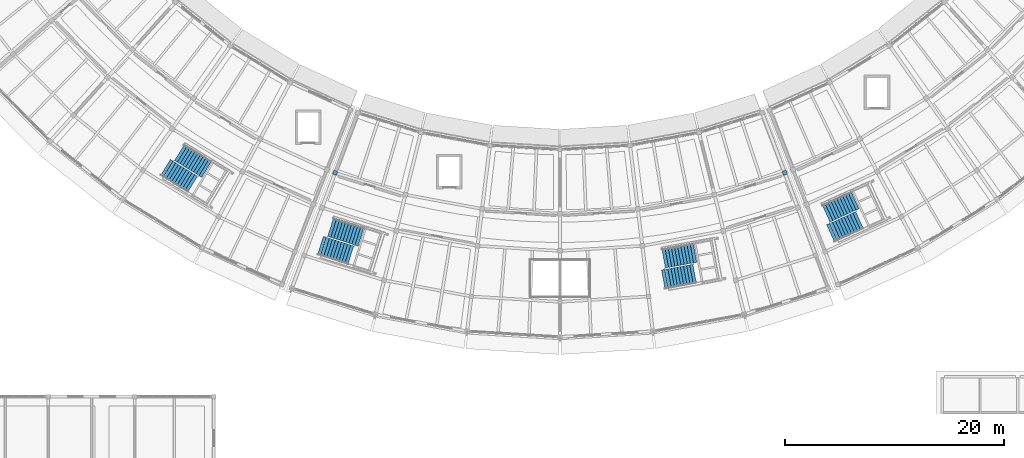
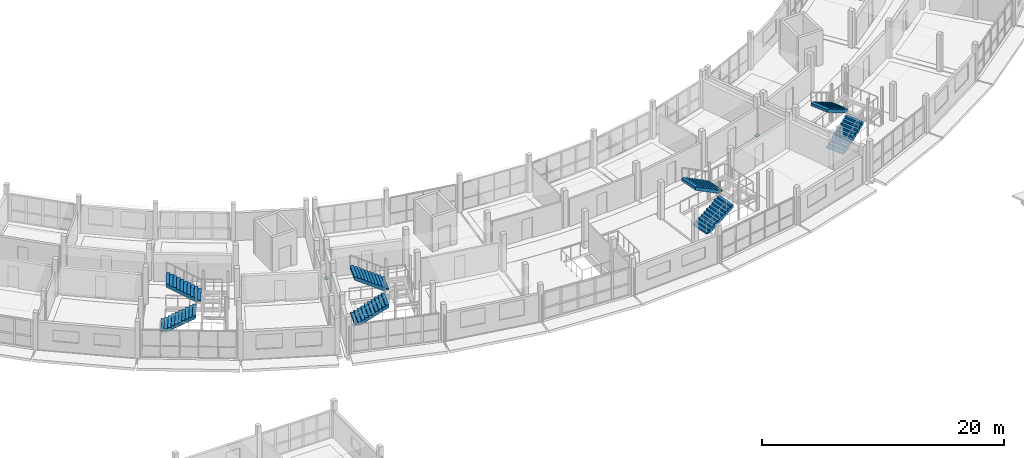
# One storey, part 57 of 66: 8 stair flights, 2 discrete accessories, 4 elements without a shape of their own.
"""IFC4 building model written with IfcOpenShell, lengths in metres."""

import ifcopenshell
import ifcopenshell.guid

model = None  # the IFC model being written
_history = None  # IfcOwnerHistory: only IFC2X3 demands one
_inside = {}  # id of a spatial element -> (the spatial element, [elements in it])
_under = {}  # id of a project, library or spatial element -> (it, [spatial elements below it])
_declared = {}  # id of a project -> (the project, [libraries it declares])
_typed = {}  # id of a type object -> (the type object, [elements of that type])
_made_of = {}  # id of a material, layer set ... -> (it, [elements and type objects made of it])


def new_model(schema):
    """Start an empty IFC model of exactly this schema.

    Asked for "IFC4X3", IfcOpenShell would pick the latest addendum, in which some entities
    have other attributes; the version numbers below select the first issue.
    IFC2X3 requires an IfcOwnerHistory on every rooted entity: one is made here for all.
    """
    global model, _history
    if schema == "IFC4X3":
        model = ifcopenshell.file(schema_version=(4, 3, 0, 0))
    else:
        model = ifcopenshell.file(schema=schema)
    _inside.clear()
    _under.clear()
    _declared.clear()
    _typed.clear()
    _made_of.clear()
    _history = None
    if model.schema == "IFC2X3":
        org = make("IfcOrganization", Name="unknown")
        user = make(
            "IfcPersonAndOrganization",
            ThePerson=make("IfcPerson", FamilyName="unknown"),
            TheOrganization=org,
        )
        app = make(
            "IfcApplication",
            ApplicationDeveloper=org,
            Version="unknown",
            ApplicationFullName="unknown",
            ApplicationIdentifier="unknown",
        )
        _history = make(
            "IfcOwnerHistory",
            OwningUser=user,
            OwningApplication=app,
            ChangeAction="ADDED",
            CreationDate=0,
        )
    return model


def make(cls, **values):
    """One entity of the class cls with the attributes given. An attribute that is None is left unset."""
    return model.create_entity(
        cls, **{name: value for name, value in values.items() if value is not None}
    )


def rooted(cls, **values):
    """An entity with a GlobalId (a new one), such as an element, a storey or a relation."""
    return make(cls, GlobalId=ifcopenshell.guid.new(), OwnerHistory=_history, **values)


def si_unit(unit_type, name, prefix=None):
    """IfcSIUnit, for example si_unit("LENGTHUNIT", "METRE", prefix="MILLI")."""
    return make("IfcSIUnit", UnitType=unit_type, Prefix=prefix, Name=name)


def assignment(units):
    """IfcUnitAssignment: the units of a project."""
    return None if units is None else make("IfcUnitAssignment", Units=units)


def point(xyz):
    """IfcCartesianPoint."""
    return None if xyz is None else make("IfcCartesianPoint", Coordinates=xyz)


def direction(xyz):
    """IfcDirection."""
    return None if xyz is None else make("IfcDirection", DirectionRatios=xyz)


def frame(location, z_axis=None, x_axis=None):
    """IfcAxis2Placement3D, a coordinate frame: its origin and axes. An axis left out is left unset."""
    return make(
        "IfcAxis2Placement3D",
        Location=point(location),
        Axis=direction(z_axis),
        RefDirection=direction(x_axis),
    )


def frame_2d(location, x_axis=None):
    """IfcAxis2Placement2D, a coordinate frame in the plane: its origin and x axis."""
    return make(
        "IfcAxis2Placement2D", Location=point(location), RefDirection=direction(x_axis)
    )


def origin():
    """The frame at (0, 0, 0) with its axes left unset."""
    return frame((0.0, 0.0, 0.0))


def origin_2d():
    """The frame at (0, 0) in the plane with its x axis left unset."""
    return frame_2d((0.0, 0.0))


def place(relative_to, where):
    """IfcLocalPlacement: puts the frame where relative to a parent placement (None: the world)."""
    return make(
        "IfcLocalPlacement", PlacementRelTo=relative_to, RelativePlacement=where
    )


def context(
    kind, dimensions, precision=None, world=None, true_north=None, identifier=None
):
    """IfcGeometricRepresentationContext, for example the 3D "Model" context."""
    return make(
        "IfcGeometricRepresentationContext",
        ContextIdentifier=identifier,
        ContextType=kind,
        CoordinateSpaceDimension=dimensions,
        Precision=precision,
        WorldCoordinateSystem=world,
        TrueNorth=true_north,
    )


def subcontext(parent, identifier, kind, view, scale=None):
    """IfcGeometricRepresentationSubContext, for example "Body" below "Model"."""
    return make(
        "IfcGeometricRepresentationSubContext",
        ContextIdentifier=identifier,
        ContextType=kind,
        ParentContext=parent,
        TargetScale=scale,
        TargetView=view,
    )


def project(units=None, contexts=None):
    """IfcProject with its units and contexts."""
    return rooted(
        "IfcProject",
        Name="project",
        RepresentationContexts=contexts,
        UnitsInContext=assignment(units),
    )


def spatial(cls, under=None, at=None, **own):
    """A site, building, storey or space (cls), placed at a placement, below another one or the project."""
    s = rooted(cls, ObjectPlacement=at, **own)
    if under is not None:
        _under.setdefault(under.id(), (under, []))[1].append(s)
    return s


def polyline(points):
    """IfcPolyline through the points."""
    return make("IfcPolyline", Points=[point(p) for p in points])


def profile(cls, at=None, kind="AREA", **sizes):
    """A parametric profile (cls). Its sizes go by their IFC names, for example OverallWidth=200.0."""
    return make(cls, ProfileType=kind, Position=at, **sizes)


def rectangle(**sizes):
    """IfcRectangleProfileDef."""
    return profile("IfcRectangleProfileDef", **sizes)


def outline(outer, holes=None, kind="AREA"):
    """IfcArbitraryClosedProfileDef: a profile drawn as a closed curve; with holes, ...WithVoids."""
    if holes is None:
        return make("IfcArbitraryClosedProfileDef", ProfileType=kind, OuterCurve=outer)
    return make(
        "IfcArbitraryProfileDefWithVoids",
        ProfileType=kind,
        OuterCurve=outer,
        InnerCurves=holes,
    )


def extrude(swept, where, along, depth):
    """IfcExtrudedAreaSolid: the profile swept, set in the frame where, extruded along a direction by depth."""
    return make(
        "IfcExtrudedAreaSolid",
        SweptArea=swept,
        Position=where,
        ExtrudedDirection=direction(along),
        Depth=depth,
    )


def shape(context_of_items, identifier, shape_type, items):
    """IfcShapeRepresentation: the items that make up one representation, for example the "Body"."""
    return make(
        "IfcShapeRepresentation",
        ContextOfItems=context_of_items,
        RepresentationIdentifier=identifier,
        RepresentationType=shape_type,
        Items=items,
    )


def material(Name=None, Category=None):
    """IfcMaterial."""
    return make("IfcMaterial", Name=Name, Category=Category)


def made_of(thing, what):
    """Note that an element or type object is made of a material, layer set ...; save() writes the relation."""
    if what is not None:
        _made_of.setdefault(what.id(), (what, []))[1].append(thing)
    return thing


def type_object(cls, material=None, **own):
    """A type object (cls), such as IfcWallType, which elements share."""
    return made_of(rooted(cls, **own), material)


def element(
    cls,
    number,
    at=None,
    inside=None,
    cuts=None,
    type_object=None,
    material=None,
    context=None,
    identifier="Body",
    shape_type=None,
    held_by="IfcProductDefinitionShape",
    body=None,
    shapes=None,
    **own,
):
    """One element of the class cls, such as IfcWall. Its Tag is "e" and its number.

    at: its placement. inside: the storey or other place that contains it. cuts: it is an
    opening in that element (IfcRelVoidsElement). A single representation is given by context,
    identifier, shape_type and body (its items); several are given by shapes. held_by: the class
    of the entity that holds the representations. save() writes the other relations.
    """
    e = rooted(cls, Tag="e%d" % number, ObjectPlacement=at, **own)
    if body is not None:
        shapes = [shape(context, identifier, shape_type, body)]
    if shapes is not None:
        e.Representation = make(held_by, Representations=shapes)
    if inside is not None:
        _inside.setdefault(inside.id(), (inside, []))[1].append(e)
    if cuts is not None:
        rooted(
            "IfcRelVoidsElement", RelatingBuildingElement=cuts, RelatedOpeningElement=e
        )
    if type_object is not None:
        _typed.setdefault(type_object.id(), (type_object, []))[1].append(e)
    return made_of(e, material)


def aggregate(whole, parts):
    """IfcRelAggregates: a whole, such as a stair, and the parts it consists of."""
    return rooted("IfcRelAggregates", RelatingObject=whole, RelatedObjects=parts)


def save(model, path):
    """Write the relations noted so far, then the file.

    IfcRelAggregates (storeys below a building ...), IfcRelContainedInSpatialStructure (elements
    in a storey), IfcRelDefinesByType, IfcRelAssociatesMaterial and IfcRelDeclares: one each for
    every whole, place, type object, material and project.
    """
    for whole, parts in _under.values():
        aggregate(whole, parts)
    for where, things in _inside.values():
        rooted(
            "IfcRelContainedInSpatialStructure",
            RelatedElements=things,
            RelatingStructure=where,
        )
    for kind, things in _typed.values():
        rooted("IfcRelDefinesByType", RelatedObjects=things, RelatingType=kind)
    for what, things in _made_of.values():
        rooted("IfcRelAssociatesMaterial", RelatedObjects=things, RelatingMaterial=what)
    for by, libraries in _declared.values():
        rooted("IfcRelDeclares", RelatingContext=by, RelatedDefinitions=libraries)
    model.write(path)


model = new_model("IFC4")

# Units and contexts
model_context = context("Model", 3, precision=1e-05, world=origin(), true_north=direction((0.0, 1.0)))
body_context = subcontext(model_context, "Body", "Model", "MODEL_VIEW")
ifc_project = project(units=[si_unit("LENGTHUNIT", "METRE"), si_unit("AREAUNIT", "SQUARE_METRE"), si_unit("VOLUMEUNIT", "CUBIC_METRE"), si_unit("PLANEANGLEUNIT", "RADIAN"), si_unit("MASSUNIT", "GRAM", prefix="KILO")], contexts=[model_context])

# Site, building, storey
site_placement = place(None, origin())
site = spatial("IfcSite", under=ifc_project, at=site_placement, CompositionType="ELEMENT")
building_placement = place(site_placement, origin())
building = spatial("IfcBuilding", under=site, at=building_placement, Name="Caldaven Crescent School", CompositionType="ELEMENT")
storey_placement = place(building_placement, frame((0.0, 0.0, 8.159912109375)))
storey = spatial("IfcBuildingStorey", under=building, at=storey_placement, Name="L02", CompositionType="ELEMENT", Elevation=8.159912109375)

# Stair, stair flights
ifc_material_1 = material(Name="Precast concrete C30/37", Category="concrete")
stair_type_1 = type_object("IfcStairType", Name="STR-S5", PredefinedType="TWO_STRAIGHT_RUN_STAIR", material=ifc_material_1)
stair_1_placement = place(storey_placement, origin())
stair_1 = element("IfcStair", 1, at=stair_1_placement, inside=storey, type_object=stair_type_1, Name="STAIR-ST1-L02", PredefinedType="TWO_STRAIGHT_RUN_STAIR")
stair_flight_type_1 = type_object("IfcStairFlightType", Name="STF-F5", PredefinedType="STRAIGHT", material=ifc_material_1)
stair_flight_1_placement = place(storey_placement, frame((51.99365234375, 41.9130859375, 0.0), z_axis=(0.0, 0.0, 1.0), x_axis=(0.852640164354, -0.522498564716, 0.0)))
stair_flight_1 = element("IfcStairFlight", 2, at=stair_flight_1_placement, type_object=stair_flight_type_1, Name="ST1-L02 flight 1", NumberOfRisers=11, NumberOfTreads=10, PredefinedType="STRAIGHT", RiserHeight=0.17, TreadLength=0.29, context=body_context, shape_type="SweptSolid", body=[
    extrude(outline(polyline([(0.0, 0.0), (0.0, 0.169921875), (0.2900390625, 0.169921875), (0.2900390625, 0.340087890625), (0.580078125, 0.340087890625), (0.580078125, 0.510009765625), (0.8701171875, 0.510009765625), (0.8701171875, 0.679931640625), (1.159912109375, 0.679931640625), (1.159912109375, 0.85009765625), (1.449951171875, 0.85009765625), (1.449951171875, 1.02001953125), (1.739990234375, 1.02001953125), (1.739990234375, 1.18994140625), (2.030029296875, 1.18994140625), (2.030029296875, 1.360107421875), (2.320068359375, 1.360107421875), (2.320068359375, 1.530029296875), (2.610107421875, 1.530029296875), (2.610107421875, 1.699951171875), (2.89990234375, 1.699951171875), (2.89990234375, 1.8701171875), (2.89990234375, 1.421875), (0.474609375, 0.0), (0.0, 0.0)])), frame((0.0, 0.85986328125, 0.0), z_axis=(0.0, -1.0, 0.0), x_axis=(1.0, 0.0, 0.0)), (0.0, 0.0, 1.0), 1.719970703125),
])
stair_flight_2_placement = place(storey_placement, frame((55.7412109375, 41.7509765625, 1.8701171875), z_axis=(0.0, 0.0, 1.0), x_axis=(-0.852640164354, 0.522498564716, 0.0)))
stair_flight_2 = element("IfcStairFlight", 3, at=stair_flight_2_placement, type_object=stair_flight_type_1, Name="ST1-L02 flight 2", NumberOfRisers=11, NumberOfTreads=10, PredefinedType="STRAIGHT", RiserHeight=0.17, TreadLength=0.29, context=body_context, shape_type="SweptSolid", body=[
    extrude(outline(polyline([(0.0, 0.0), (0.0, 0.169921875), (0.2900390625, 0.169921875), (0.2900390625, 0.340087890625), (0.580078125, 0.340087890625), (0.580078125, 0.510009765625), (0.8701171875, 0.510009765625), (0.8701171875, 0.679931640625), (1.159912109375, 0.679931640625), (1.159912109375, 0.85009765625), (1.449951171875, 0.85009765625), (1.449951171875, 1.02001953125), (1.739990234375, 1.02001953125), (1.739990234375, 1.18994140625), (2.030029296875, 1.18994140625), (2.030029296875, 1.360107421875), (2.320068359375, 1.360107421875), (2.320068359375, 1.530029296875), (2.610107421875, 1.530029296875), (2.610107421875, 1.699951171875), (2.89990234375, 1.699951171875), (2.89990234375, 1.8701171875), (2.89990234375, 1.421875), (0.474609375, 0.0), (0.0, 0.0)])), frame((0.0, 0.85986328125, 0.0), z_axis=(0.0, -1.0, 0.0), x_axis=(1.0, 0.0, 0.0)), (0.0, 0.0, 1.0), 1.719970703125),
])
aggregate(stair_1, [stair_flight_1, stair_flight_2])

stair_2_placement = place(storey_placement, origin())
stair_2 = element("IfcStair", 4, at=stair_2_placement, inside=storey, type_object=stair_type_1, Name="STAIR-ST4-L02", PredefinedType="TWO_STRAIGHT_RUN_STAIR")
stair_flight_3_placement = place(storey_placement, frame((112.705810546875, 35.904296875, 0.0), z_axis=(0.0, 0.0, 1.0), x_axis=(0.909961270877, 0.414693242656, 0.0)))
stair_flight_3 = element("IfcStairFlight", 5, at=stair_flight_3_placement, type_object=stair_flight_type_1, Name="ST4-L02 flight 1", NumberOfRisers=11, NumberOfTreads=10, PredefinedType="STRAIGHT", RiserHeight=0.17, TreadLength=0.29, context=body_context, shape_type="SweptSolid", body=[
    extrude(outline(polyline([(0.0, 0.0), (0.0, 0.169921875), (0.2900390625, 0.169921875), (0.2900390625, 0.340087890625), (0.580078125, 0.340087890625), (0.580078125, 0.510009765625), (0.8701171875, 0.510009765625), (0.8701171875, 0.679931640625), (1.159912109375, 0.679931640625), (1.159912109375, 0.85009765625), (1.449951171875, 0.85009765625), (1.449951171875, 1.02001953125), (1.739990234375, 1.02001953125), (1.739990234375, 1.18994140625), (2.030029296875, 1.18994140625), (2.030029296875, 1.360107421875), (2.320068359375, 1.360107421875), (2.320068359375, 1.530029296875), (2.610107421875, 1.530029296875), (2.610107421875, 1.699951171875), (2.89990234375, 1.699951171875), (2.89990234375, 1.8701171875), (2.89990234375, 1.421875), (0.474609375, 0.0), (0.0, 0.0)])), frame((0.0, 0.85986328125, 0.0), z_axis=(0.0, -1.0, 0.0), x_axis=(1.0, 0.0, 0.0)), (0.0, 0.0, 1.0), 1.719970703125),
])
stair_flight_4_placement = place(storey_placement, frame((114.935546875, 38.920654296875, 1.8701171875), z_axis=(0.0, 0.0, 1.0), x_axis=(-0.909961270877, -0.414693242656, 0.0)))
stair_flight_4 = element("IfcStairFlight", 6, at=stair_flight_4_placement, type_object=stair_flight_type_1, Name="ST4-L02 flight 2", NumberOfRisers=11, NumberOfTreads=10, PredefinedType="STRAIGHT", RiserHeight=0.17, TreadLength=0.29, context=body_context, shape_type="SweptSolid", body=[
    extrude(outline(polyline([(0.0, 0.0), (0.0, 0.169921875), (0.2900390625, 0.169921875), (0.2900390625, 0.340087890625), (0.580078125, 0.340087890625), (0.580078125, 0.510009765625), (0.8701171875, 0.510009765625), (0.8701171875, 0.679931640625), (1.159912109375, 0.679931640625), (1.159912109375, 0.85009765625), (1.449951171875, 0.85009765625), (1.449951171875, 1.02001953125), (1.739990234375, 1.02001953125), (1.739990234375, 1.18994140625), (2.030029296875, 1.18994140625), (2.030029296875, 1.360107421875), (2.320068359375, 1.360107421875), (2.320068359375, 1.530029296875), (2.610107421875, 1.530029296875), (2.610107421875, 1.699951171875), (2.89990234375, 1.699951171875), (2.89990234375, 1.8701171875), (2.89990234375, 1.421875), (0.474609375, 0.0), (0.0, 0.0)])), frame((0.0, 0.85986328125, 0.0), z_axis=(0.0, -1.0, 0.0), x_axis=(1.0, 0.0, 0.0)), (0.0, 0.0, 1.0), 1.719970703125),
])
aggregate(stair_2, [stair_flight_3, stair_flight_4])

stair_type_2 = type_object("IfcStairType", Name="STR-S6", PredefinedType="TWO_STRAIGHT_RUN_STAIR", material=ifc_material_1)
stair_3_placement = place(storey_placement, origin())
stair_3 = element("IfcStair", 7, at=stair_3_placement, inside=storey, type_object=stair_type_2, Name="STAIR-ST2-L02", PredefinedType="TWO_STRAIGHT_RUN_STAIR")
stair_flight_type_2 = type_object("IfcStairFlightType", Name="STF-F6", PredefinedType="STRAIGHT", material=ifc_material_1)
stair_flight_5_placement = place(storey_placement, frame((66.14208984375, 34.789794921875, 0.0), z_axis=(0.0, 0.0, 1.0), x_axis=(0.953716950748, -0.300705799504, 0.0)))
stair_flight_5 = element("IfcStairFlight", 8, at=stair_flight_5_placement, type_object=stair_flight_type_2, Name="ST2-L02 flight 1", NumberOfRisers=11, NumberOfTreads=10, PredefinedType="STRAIGHT", RiserHeight=0.17, TreadLength=0.29, context=body_context, shape_type="SweptSolid", body=[
    extrude(outline(polyline([(0.0, 0.0), (0.0, 0.169921875), (0.2900390625, 0.169921875), (0.2900390625, 0.340087890625), (0.580078125, 0.340087890625), (0.580078125, 0.510009765625), (0.8701171875, 0.510009765625), (0.8701171875, 0.679931640625), (1.159912109375, 0.679931640625), (1.159912109375, 0.85009765625), (1.449951171875, 0.85009765625), (1.449951171875, 1.02001953125), (1.739990234375, 1.02001953125), (1.739990234375, 1.18994140625), (2.030029296875, 1.18994140625), (2.030029296875, 1.360107421875), (2.320068359375, 1.360107421875), (2.320068359375, 1.530029296875), (2.610107421875, 1.530029296875), (2.610107421875, 1.699951171875), (2.89990234375, 1.699951171875), (2.89990234375, 1.8701171875), (2.89990234375, 1.412353515625), (0.490478515625, 0.0), (0.0, 0.0)])), frame((0.0, 0.8798828125, 0.0), z_axis=(0.0, -1.0, 0.0), x_axis=(1.0, 0.0, 0.0)), (0.0, 0.0, 1.0), 1.760009765625),
])
stair_flight_6_placement = place(storey_placement, frame((69.82958984375, 35.577392578125, 1.8701171875), z_axis=(0.0, 0.0, 1.0), x_axis=(-0.953716950748, 0.300705799504, 0.0)))
stair_flight_6 = element("IfcStairFlight", 9, at=stair_flight_6_placement, type_object=stair_flight_type_2, Name="ST2-L02 flight 2", NumberOfRisers=11, NumberOfTreads=10, PredefinedType="STRAIGHT", RiserHeight=0.17, TreadLength=0.29, context=body_context, shape_type="SweptSolid", body=[
    extrude(outline(polyline([(0.0, 0.0), (0.0, 0.169921875), (0.2900390625, 0.169921875), (0.2900390625, 0.340087890625), (0.580078125, 0.340087890625), (0.580078125, 0.510009765625), (0.8701171875, 0.510009765625), (0.8701171875, 0.679931640625), (1.159912109375, 0.679931640625), (1.159912109375, 0.85009765625), (1.449951171875, 0.85009765625), (1.449951171875, 1.02001953125), (1.739990234375, 1.02001953125), (1.739990234375, 1.18994140625), (2.030029296875, 1.18994140625), (2.030029296875, 1.360107421875), (2.320068359375, 1.360107421875), (2.320068359375, 1.530029296875), (2.610107421875, 1.530029296875), (2.610107421875, 1.699951171875), (2.89990234375, 1.699951171875), (2.89990234375, 1.8701171875), (2.89990234375, 1.412353515625), (0.490478515625, 0.0), (0.0, 0.0)])), frame((0.0, 0.8798828125, 0.0), z_axis=(0.0, -1.0, 0.0), x_axis=(1.0, 0.0, 0.0)), (0.0, 0.0, 1.0), 1.760009765625),
])
aggregate(stair_3, [stair_flight_5, stair_flight_6])

stair_4_placement = place(storey_placement, origin())
stair_4 = element("IfcStair", 10, at=stair_4_placement, inside=storey, type_object=stair_type_2, Name="STAIR-ST3-L02", PredefinedType="TWO_STRAIGHT_RUN_STAIR")
stair_flight_7_placement = place(storey_placement, frame((97.43701171875, 31.69287109375, 0.0), z_axis=(0.0, 0.0, 1.0), x_axis=(0.983254907564, 0.182235525492, 0.0)))
stair_flight_7 = element("IfcStairFlight", 11, at=stair_flight_7_placement, type_object=stair_flight_type_2, Name="ST3-L02 flight 1", NumberOfRisers=11, NumberOfTreads=10, PredefinedType="STRAIGHT", RiserHeight=0.17, TreadLength=0.29, context=body_context, shape_type="SweptSolid", body=[
    extrude(outline(polyline([(0.0, 0.0), (0.0, 0.169921875), (0.2900390625, 0.169921875), (0.2900390625, 0.340087890625), (0.580078125, 0.340087890625), (0.580078125, 0.510009765625), (0.8701171875, 0.510009765625), (0.8701171875, 0.679931640625), (1.159912109375, 0.679931640625), (1.159912109375, 0.85009765625), (1.449951171875, 0.85009765625), (1.449951171875, 1.02001953125), (1.739990234375, 1.02001953125), (1.739990234375, 1.18994140625), (2.030029296875, 1.18994140625), (2.030029296875, 1.360107421875), (2.320068359375, 1.360107421875), (2.320068359375, 1.530029296875), (2.610107421875, 1.530029296875), (2.610107421875, 1.699951171875), (2.89990234375, 1.699951171875), (2.89990234375, 1.8701171875), (2.89990234375, 1.412353515625), (0.490478515625, 0.0), (0.0, 0.0)])), frame((0.0, 0.8798828125, 0.0), z_axis=(0.0, -1.0, 0.0), x_axis=(1.0, 0.0, 0.0)), (0.0, 0.0, 1.0), 1.760009765625),
])
stair_flight_8_placement = place(storey_placement, frame((100.3232421875, 34.11962890625, 1.8701171875), z_axis=(0.0, 0.0, 1.0), x_axis=(-0.983254907564, -0.182235525492, 0.0)))
stair_flight_8 = element("IfcStairFlight", 12, at=stair_flight_8_placement, type_object=stair_flight_type_2, Name="ST3-L02 flight 2", NumberOfRisers=11, NumberOfTreads=10, PredefinedType="STRAIGHT", RiserHeight=0.17, TreadLength=0.29, context=body_context, shape_type="SweptSolid", body=[
    extrude(outline(polyline([(0.0, 0.0), (0.0, 0.169921875), (0.2900390625, 0.169921875), (0.2900390625, 0.340087890625), (0.580078125, 0.340087890625), (0.580078125, 0.510009765625), (0.8701171875, 0.510009765625), (0.8701171875, 0.679931640625), (1.159912109375, 0.679931640625), (1.159912109375, 0.85009765625), (1.449951171875, 0.85009765625), (1.449951171875, 1.02001953125), (1.739990234375, 1.02001953125), (1.739990234375, 1.18994140625), (2.030029296875, 1.18994140625), (2.030029296875, 1.360107421875), (2.320068359375, 1.360107421875), (2.320068359375, 1.530029296875), (2.610107421875, 1.530029296875), (2.610107421875, 1.699951171875), (2.89990234375, 1.699951171875), (2.89990234375, 1.8701171875), (2.89990234375, 1.412353515625), (0.490478515625, 0.0), (0.0, 0.0)])), frame((0.0, 0.8798828125, 0.0), z_axis=(0.0, -1.0, 0.0), x_axis=(1.0, 0.0, 0.0)), (0.0, 0.0, 1.0), 1.760009765625),
])
aggregate(stair_4, [stair_flight_7, stair_flight_8])

# Discrete accessories
ifc_material_2 = material(Name="Steel ASTM A572 Grade 50", Category="steel")
discrete_accessory_type = type_object("IfcDiscreteAccessoryType", Name="ACC-SB1", PredefinedType="BRACKET", material=ifc_material_2)
for number, where, z_axis, x_axis, name in (
    (13, (67.482421875, 41.4296875, -0.329833984375), (0.0, 0.0, 1.0), (-0.352005016254, -0.93599811353, 0.0), "SB-L02-W"),
    (14, (108.517578125, 41.4296875, -0.329833984375), (0.0, 0.0, 1.0), (0.352005016254, -0.93599811353, 0.0), "SB-L02-E"),
):
    element("IfcDiscreteAccessory", number, at=place(storey_placement, frame(where, z_axis=z_axis, x_axis=x_axis)), inside=storey, type_object=discrete_accessory_type, Name=name, PredefinedType="BRACKET", context=body_context, shape_type="SweptSolid", body=[
        extrude(rectangle(XDim=0.360107421875, YDim=0.360107421875, at=origin_2d()), origin(), (0.0, 0.0, 1.0), 0.080078125),
    ])

save(model, "model.ifc")
